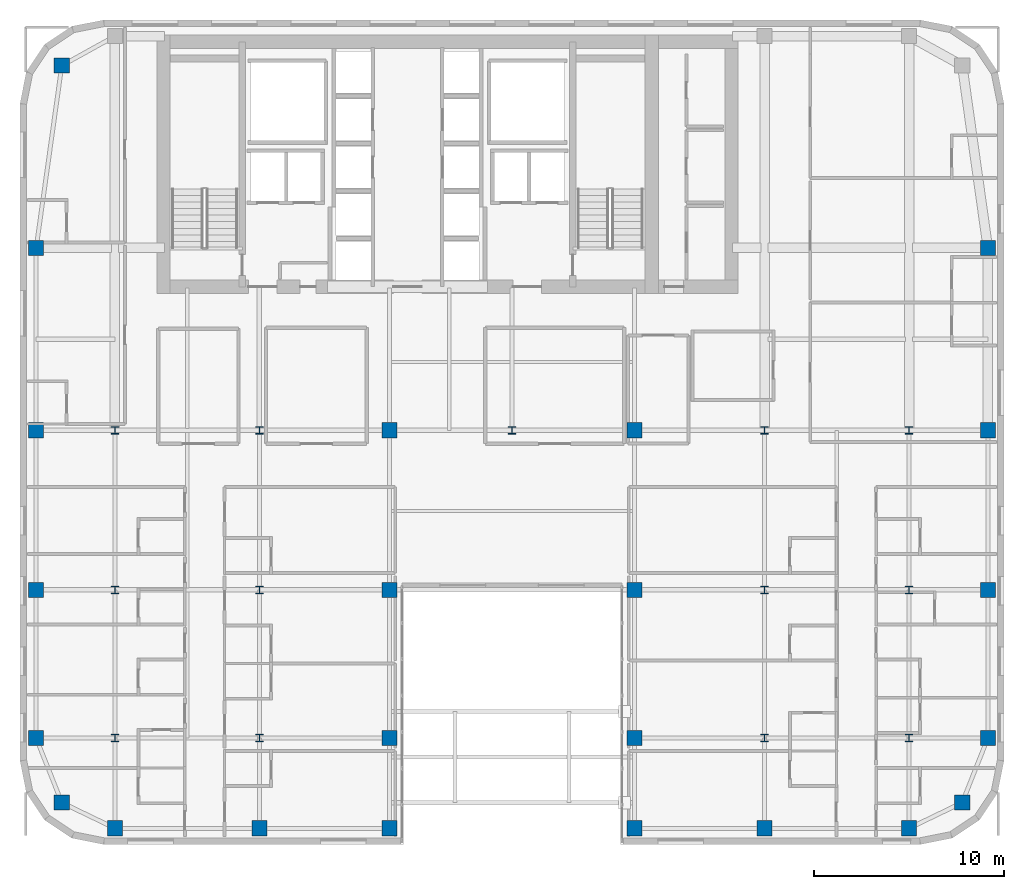
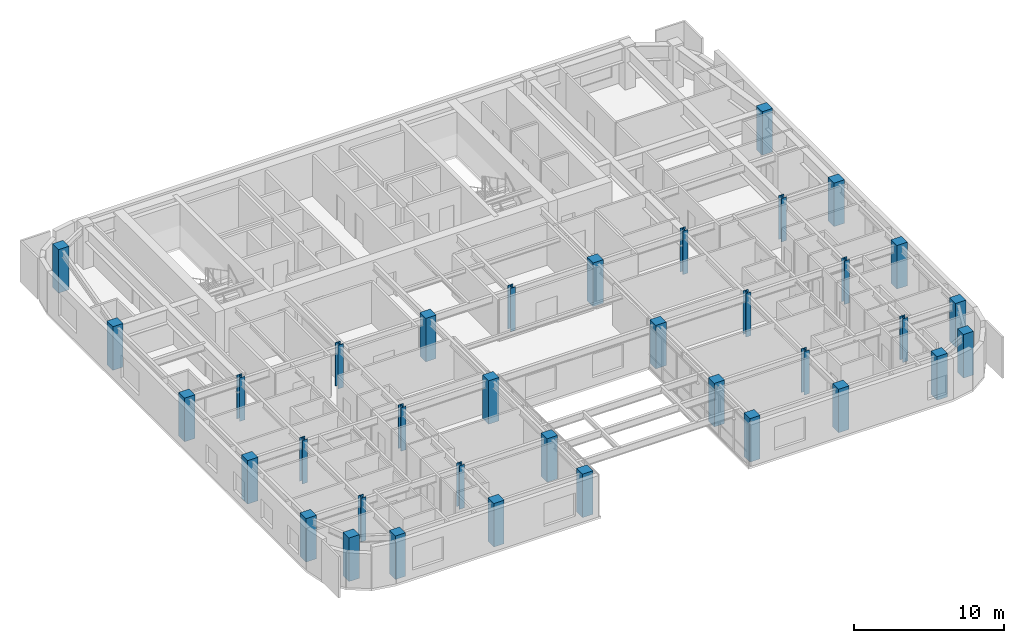
# One storey, part 1 of 15: 36 columns.
"""IFC4 building model written with IfcOpenShell, lengths in metres."""

from ifc_helpers import new_model, si_unit, direction, frame, origin, origin_2d, place, context, subcontext, project, spatial, rectangle, i_section, extrude, source, transform, mapped, material, material_profile, profile_set, type_object, type_shapes, element, save


model = new_model("IFC4")

# Units and contexts
model_context = context("Model", 3, precision=1e-05, world=origin(), true_north=direction((0.0, 1.0)))
body_context = subcontext(model_context, "Body", "Model", "MODEL_VIEW")
ifc_project = project(units=[si_unit("LENGTHUNIT", "METRE"), si_unit("AREAUNIT", "SQUARE_METRE"), si_unit("VOLUMEUNIT", "CUBIC_METRE"), si_unit("PLANEANGLEUNIT", "RADIAN"), si_unit("MASSUNIT", "GRAM", prefix="KILO")], contexts=[model_context])

# Site, building, storey
site_placement = place(None, origin())
site = spatial("IfcSite", under=ifc_project, at=site_placement, CompositionType="ELEMENT")
building_placement = place(site_placement, origin())
building = spatial("IfcBuilding", under=site, at=building_placement, Name="Tolvann Quenvar Hotel", CompositionType="ELEMENT")
storey_placement = place(building_placement, frame((0.0, 0.0, 164.800048828125)))
storey = spatial("IfcBuildingStorey", under=building, at=storey_placement, Name="L43", CompositionType="ELEMENT", Elevation=164.800048828125)

# Columns
ifc_material_1 = material(Name="Concrete N50 (50 MPa)", Category="concrete")
ifc_material_profile_1 = material_profile(ifc_material_1, rectangle(XDim=0.800048828125, YDim=0.800048828125, at=origin_2d()), Name="RC800x800")
ifc_profile_set_1 = profile_set([ifc_material_profile_1], Name="Concrete N50 (50 MPa)")
column_type_1 = type_object("IfcColumnType", Name="COL_RC800", PredefinedType="COLUMN", material=ifc_profile_set_1)
shared_shape_1 = source(origin(), body_context, "Body", "SweptSolid", [
    extrude(rectangle(XDim=0.800048828125, YDim=0.800048828125, at=origin_2d()), origin(), (0.0, 0.0, 1.0), 3.550048828125),
])
type_shapes(column_type_1, [shared_shape_1])
for number, where, z_axis, x_axis, name in (
    (1, (4.800048828125, 4.800048828125, 0.0), (0.0, 0.0, 1.0), (1.0, 0.0, 0.0), "Column B2 (L43)"),
    (2, (3.449951171875, 8.199951171875, 0.0), (0.0, 0.0, 1.0), (1.0, 0.0, 0.0), "Column B3 (L43)"),
    (3, (3.449951171875, 16.0, 0.0), (0.0, 0.0, 1.0), (1.0, 0.0, 0.0), "Column B4 (L43)"),
    (4, (3.449951171875, 24.39990234375, 0.0), (0.0, 0.0, 1.0), (1.0, 0.0, 0.0), "Column B5 (L43)"),
    (5, (7.60009765625, 3.449951171875, 0.0), (0.0, 0.0, 1.0), (1.0, 0.0, 0.0), "Column C2 (L43)"),
    (6, (15.199951171875, 3.449951171875, 0.0), (0.0, 0.0, 1.0), (1.0, 0.0, 0.0), "Column D2 (L43)"),
    (7, (22.050048828125, 3.449951171875, 0.0), (0.0, 0.0, 1.0), (1.0, 0.0, 0.0), "Column E2 (L43)"),
    (8, (22.050048828125, 8.199951171875, 0.0), (0.0, 0.0, 1.0), (1.0, 0.0, 0.0), "Column E3 (L43)"),
    (9, (22.050048828125, 16.0, 0.0), (0.0, 0.0, 1.0), (1.0, 0.0, 0.0), "Column E4 (L43)"),
    (10, (22.050048828125, 24.39990234375, 0.0), (0.0, 0.0, 1.0), (1.0, 0.0, 0.0), "Column E5 (L43)"),
    (11, (34.949951171875, 3.449951171875, 0.0), (0.0, 0.0, 1.0), (1.0, 0.0, 0.0), "Column F2 (L43)"),
    (12, (34.949951171875, 8.199951171875, 0.0), (0.0, 0.0, 1.0), (1.0, 0.0, 0.0), "Column F3 (L43)"),
    (13, (34.949951171875, 16.0, 0.0), (0.0, 0.0, 1.0), (1.0, 0.0, 0.0), "Column F4 (L43)"),
    (14, (34.949951171875, 24.39990234375, 0.0), (0.0, 0.0, 1.0), (1.0, 0.0, 0.0), "Column F5 (L43)"),
    (15, (41.800048828125, 3.449951171875, 0.0), (0.0, 0.0, 1.0), (1.0, 0.0, 0.0), "Column H2 (L43)"),
    (16, (49.39990234375, 3.449951171875, 0.0), (0.0, 0.0, 1.0), (1.0, 0.0, 0.0), "Column I2 (L43)"),
    (17, (52.199951171875, 4.800048828125, 0.0), (0.0, 0.0, 1.0), (1.0, 0.0, 0.0), "Column J2 (L43)"),
    (18, (53.550048828125, 8.199951171875, 0.0), (0.0, 0.0, 1.0), (1.0, 0.0, 0.0), "Column J3 (L43)"),
    (19, (53.550048828125, 16.0, 0.0), (0.0, 0.0, 1.0), (1.0, 0.0, 0.0), "Column J4 (L43)"),
    (20, (53.550048828125, 24.39990234375, 0.0), (0.0, 0.0, 1.0), (1.0, 0.0, 0.0), "Column J5 (L43)"),
    (21, (4.800048828125, 43.60009765625, 0.0), (0.0, 0.0, 1.0), (1.0, 0.0, 0.0), "Column BN (L43)"),
    (22, (3.449951171875, 34.0, 0.0), (0.0, 0.0, 1.0), (1.0, 0.0, 0.0), "Column BD6 (L43)"),
    (23, (53.550048828125, 34.0, 0.0), (0.0, 0.0, 1.0), (1.0, 0.0, 0.0), "Column JD6 (L43)"),
):
    element("IfcColumn", number, at=place(storey_placement, frame(where, z_axis=z_axis, x_axis=x_axis)), inside=storey, type_object=column_type_1, Name=name, PredefinedType="COLUMN", context=body_context, shape_type="MappedRepresentation", body=[
        mapped(shared_shape_1, transform((0.0, 0.0, 0.0), x_axis=(1.0, 0.0, 0.0), y_axis=(0.0, 1.0, 0.0), z_axis=(0.0, 0.0, 1.0), scale=1.0)),
    ])
ifc_material_2 = material(Name="Steel Grade 350", Category="steel")
ifc_material_profile_2 = material_profile(ifc_material_2, i_section(OverallWidth=0.39990234375, OverallDepth=0.39990234375, WebThickness=0.02001953125, FlangeThickness=0.034912109375, at=origin_2d()), Name="400WC270")
ifc_profile_set_2 = profile_set([ifc_material_profile_2], Name="Steel Grade 350")
column_type_2 = type_object("IfcColumnType", Name="COL_400WC270", PredefinedType="COLUMN", material=ifc_profile_set_2)
shared_shape_2 = source(origin(), body_context, "Body", "SweptSolid", [
    extrude(i_section(OverallWidth=0.39990234375, OverallDepth=0.39990234375, WebThickness=0.02001953125, FlangeThickness=0.034912109375, at=origin_2d()), origin(), (0.0, 0.0, 1.0), 3.550048828125),
])
type_shapes(column_type_2, [shared_shape_2])
for number, where, z_axis, x_axis, name in (
    (24, (7.60009765625, 8.199951171875, 0.0), (0.0, 0.0, 1.0), (1.0, 0.0, 0.0), "Column C3 (L43)"),
    (25, (7.60009765625, 16.0, 0.0), (0.0, 0.0, 1.0), (1.0, 0.0, 0.0), "Column C4 (L43)"),
    (26, (7.60009765625, 24.39990234375, 0.0), (0.0, 0.0, 1.0), (1.0, 0.0, 0.0), "Column C5 (L43)"),
    (27, (15.199951171875, 8.199951171875, 0.0), (0.0, 0.0, 1.0), (1.0, 0.0, 0.0), "Column D3 (L43)"),
    (28, (15.199951171875, 16.0, 0.0), (0.0, 0.0, 1.0), (1.0, 0.0, 0.0), "Column D4 (L43)"),
    (29, (15.199951171875, 24.39990234375, 0.0), (0.0, 0.0, 1.0), (1.0, 0.0, 0.0), "Column D5 (L43)"),
    (30, (41.800048828125, 8.199951171875, 0.0), (0.0, 0.0, 1.0), (1.0, 0.0, 0.0), "Column H3 (L43)"),
    (31, (41.800048828125, 16.0, 0.0), (0.0, 0.0, 1.0), (1.0, 0.0, 0.0), "Column H4 (L43)"),
    (32, (41.800048828125, 24.39990234375, 0.0), (0.0, 0.0, 1.0), (1.0, 0.0, 0.0), "Column H5 (L43)"),
    (33, (49.39990234375, 8.199951171875, 0.0), (0.0, 0.0, 1.0), (1.0, 0.0, 0.0), "Column I3 (L43)"),
    (34, (49.39990234375, 16.0, 0.0), (0.0, 0.0, 1.0), (1.0, 0.0, 0.0), "Column I4 (L43)"),
    (35, (49.39990234375, 24.39990234375, 0.0), (0.0, 0.0, 1.0), (1.0, 0.0, 0.0), "Column I5 (L43)"),
    (36, (28.5, 24.39990234375, 0.0), (0.0, 0.0, 1.0), (1.0, 0.0, 0.0), "Column M5 (L43)"),
):
    element("IfcColumn", number, at=place(storey_placement, frame(where, z_axis=z_axis, x_axis=x_axis)), inside=storey, type_object=column_type_2, Name=name, PredefinedType="COLUMN", context=body_context, shape_type="MappedRepresentation", body=[
        mapped(shared_shape_2, transform((0.0, 0.0, 0.0), x_axis=(1.0, 0.0, 0.0), y_axis=(0.0, 1.0, 0.0), z_axis=(0.0, 0.0, 1.0), scale=1.0)),
    ])

save(model, "model.ifc")
